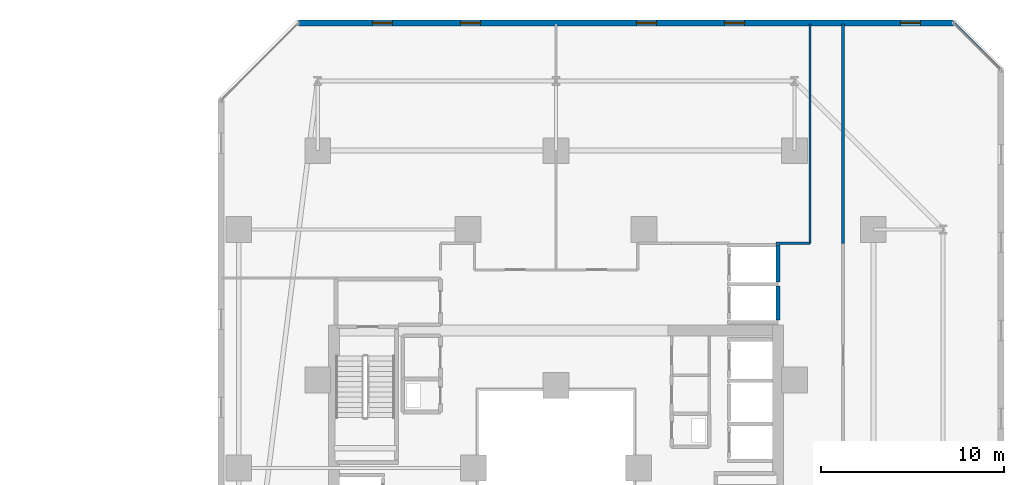
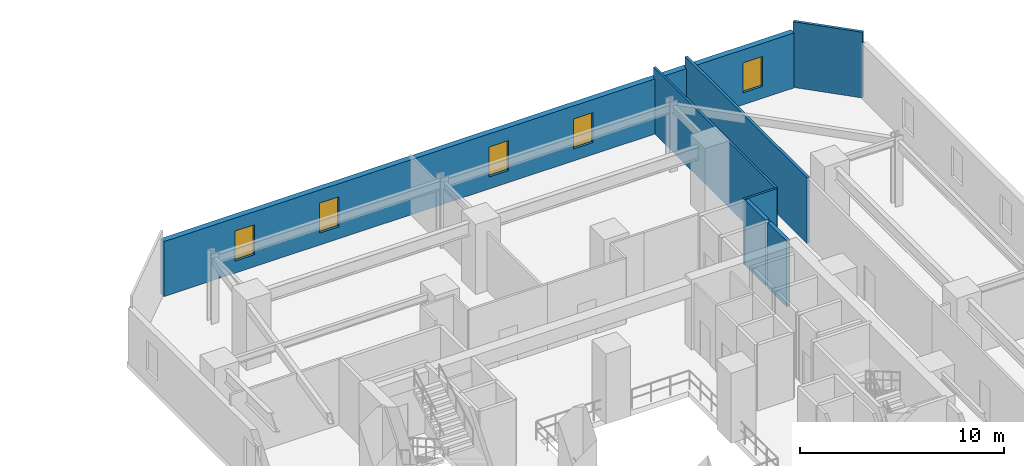
# One storey, part 26 of 33: 7 walls, 5 windows, 5 openings.
"""IFC4 building model written with IfcOpenShell, lengths in metres."""

import ifcopenshell
import ifcopenshell.guid

model = None  # the IFC model being written
_history = None  # IfcOwnerHistory: only IFC2X3 demands one
_inside = {}  # id of a spatial element -> (the spatial element, [elements in it])
_under = {}  # id of a project, library or spatial element -> (it, [spatial elements below it])
_declared = {}  # id of a project -> (the project, [libraries it declares])
_typed = {}  # id of a type object -> (the type object, [elements of that type])
_made_of = {}  # id of a material, layer set ... -> (it, [elements and type objects made of it])


def new_model(schema):
    """Start an empty IFC model of exactly this schema.

    Asked for "IFC4X3", IfcOpenShell would pick the latest addendum, in which some entities
    have other attributes; the version numbers below select the first issue.
    IFC2X3 requires an IfcOwnerHistory on every rooted entity: one is made here for all.
    """
    global model, _history
    if schema == "IFC4X3":
        model = ifcopenshell.file(schema_version=(4, 3, 0, 0))
    else:
        model = ifcopenshell.file(schema=schema)
    _inside.clear()
    _under.clear()
    _declared.clear()
    _typed.clear()
    _made_of.clear()
    _history = None
    if model.schema == "IFC2X3":
        org = make("IfcOrganization", Name="unknown")
        user = make(
            "IfcPersonAndOrganization",
            ThePerson=make("IfcPerson", FamilyName="unknown"),
            TheOrganization=org,
        )
        app = make(
            "IfcApplication",
            ApplicationDeveloper=org,
            Version="unknown",
            ApplicationFullName="unknown",
            ApplicationIdentifier="unknown",
        )
        _history = make(
            "IfcOwnerHistory",
            OwningUser=user,
            OwningApplication=app,
            ChangeAction="ADDED",
            CreationDate=0,
        )
    return model


def make(cls, **values):
    """One entity of the class cls with the attributes given. An attribute that is None is left unset."""
    return model.create_entity(
        cls, **{name: value for name, value in values.items() if value is not None}
    )


def rooted(cls, **values):
    """An entity with a GlobalId (a new one), such as an element, a storey or a relation."""
    return make(cls, GlobalId=ifcopenshell.guid.new(), OwnerHistory=_history, **values)


def si_unit(unit_type, name, prefix=None):
    """IfcSIUnit, for example si_unit("LENGTHUNIT", "METRE", prefix="MILLI")."""
    return make("IfcSIUnit", UnitType=unit_type, Prefix=prefix, Name=name)


def assignment(units):
    """IfcUnitAssignment: the units of a project."""
    return None if units is None else make("IfcUnitAssignment", Units=units)


def point(xyz):
    """IfcCartesianPoint."""
    return None if xyz is None else make("IfcCartesianPoint", Coordinates=xyz)


def direction(xyz):
    """IfcDirection."""
    return None if xyz is None else make("IfcDirection", DirectionRatios=xyz)


def frame(location, z_axis=None, x_axis=None):
    """IfcAxis2Placement3D, a coordinate frame: its origin and axes. An axis left out is left unset."""
    return make(
        "IfcAxis2Placement3D",
        Location=point(location),
        Axis=direction(z_axis),
        RefDirection=direction(x_axis),
    )


def frame_2d(location, x_axis=None):
    """IfcAxis2Placement2D, a coordinate frame in the plane: its origin and x axis."""
    return make(
        "IfcAxis2Placement2D", Location=point(location), RefDirection=direction(x_axis)
    )


def origin():
    """The frame at (0, 0, 0) with its axes left unset."""
    return frame((0.0, 0.0, 0.0))


def place(relative_to, where):
    """IfcLocalPlacement: puts the frame where relative to a parent placement (None: the world)."""
    return make(
        "IfcLocalPlacement", PlacementRelTo=relative_to, RelativePlacement=where
    )


def context(
    kind, dimensions, precision=None, world=None, true_north=None, identifier=None
):
    """IfcGeometricRepresentationContext, for example the 3D "Model" context."""
    return make(
        "IfcGeometricRepresentationContext",
        ContextIdentifier=identifier,
        ContextType=kind,
        CoordinateSpaceDimension=dimensions,
        Precision=precision,
        WorldCoordinateSystem=world,
        TrueNorth=true_north,
    )


def subcontext(parent, identifier, kind, view, scale=None):
    """IfcGeometricRepresentationSubContext, for example "Body" below "Model"."""
    return make(
        "IfcGeometricRepresentationSubContext",
        ContextIdentifier=identifier,
        ContextType=kind,
        ParentContext=parent,
        TargetScale=scale,
        TargetView=view,
    )


def project(units=None, contexts=None):
    """IfcProject with its units and contexts."""
    return rooted(
        "IfcProject",
        Name="project",
        RepresentationContexts=contexts,
        UnitsInContext=assignment(units),
    )


def spatial(cls, under=None, at=None, **own):
    """A site, building, storey or space (cls), placed at a placement, below another one or the project."""
    s = rooted(cls, ObjectPlacement=at, **own)
    if under is not None:
        _under.setdefault(under.id(), (under, []))[1].append(s)
    return s


def profile(cls, at=None, kind="AREA", **sizes):
    """A parametric profile (cls). Its sizes go by their IFC names, for example OverallWidth=200.0."""
    return make(cls, ProfileType=kind, Position=at, **sizes)


def rectangle(**sizes):
    """IfcRectangleProfileDef."""
    return profile("IfcRectangleProfileDef", **sizes)


def extrude(swept, where, along, depth):
    """IfcExtrudedAreaSolid: the profile swept, set in the frame where, extruded along a direction by depth."""
    return make(
        "IfcExtrudedAreaSolid",
        SweptArea=swept,
        Position=where,
        ExtrudedDirection=direction(along),
        Depth=depth,
    )


def shape(context_of_items, identifier, shape_type, items):
    """IfcShapeRepresentation: the items that make up one representation, for example the "Body"."""
    return make(
        "IfcShapeRepresentation",
        ContextOfItems=context_of_items,
        RepresentationIdentifier=identifier,
        RepresentationType=shape_type,
        Items=items,
    )


def material(Name=None, Category=None):
    """IfcMaterial."""
    return make("IfcMaterial", Name=Name, Category=Category)


def layer(
    of_material, thickness, ventilated=None, Name=None, Category=None, Priority=None
):
    """IfcMaterialLayer: one layer of a wall or slab, of a material (None: an air gap)."""
    return make(
        "IfcMaterialLayer",
        Material=of_material,
        LayerThickness=thickness,
        IsVentilated=ventilated,
        Name=Name,
        Category=Category,
        Priority=Priority,
    )


def layer_set(layers, Name=None):
    """IfcMaterialLayerSet."""
    return make("IfcMaterialLayerSet", MaterialLayers=layers, LayerSetName=Name)


def made_of(thing, what):
    """Note that an element or type object is made of a material, layer set ...; save() writes the relation."""
    if what is not None:
        _made_of.setdefault(what.id(), (what, []))[1].append(thing)
    return thing


def type_object(cls, material=None, **own):
    """A type object (cls), such as IfcWallType, which elements share."""
    return made_of(rooted(cls, **own), material)


def element(
    cls,
    number,
    at=None,
    inside=None,
    cuts=None,
    type_object=None,
    material=None,
    context=None,
    identifier="Body",
    shape_type=None,
    held_by="IfcProductDefinitionShape",
    body=None,
    shapes=None,
    **own,
):
    """One element of the class cls, such as IfcWall. Its Tag is "e" and its number.

    at: its placement. inside: the storey or other place that contains it. cuts: it is an
    opening in that element (IfcRelVoidsElement). A single representation is given by context,
    identifier, shape_type and body (its items); several are given by shapes. held_by: the class
    of the entity that holds the representations. save() writes the other relations.
    """
    e = rooted(cls, Tag="e%d" % number, ObjectPlacement=at, **own)
    if body is not None:
        shapes = [shape(context, identifier, shape_type, body)]
    if shapes is not None:
        e.Representation = make(held_by, Representations=shapes)
    if inside is not None:
        _inside.setdefault(inside.id(), (inside, []))[1].append(e)
    if cuts is not None:
        rooted(
            "IfcRelVoidsElement", RelatingBuildingElement=cuts, RelatedOpeningElement=e
        )
    if type_object is not None:
        _typed.setdefault(type_object.id(), (type_object, []))[1].append(e)
    return made_of(e, material)


def fill(opening, filler):
    """IfcRelFillsElement: the door or window that sits in an opening."""
    return rooted(
        "IfcRelFillsElement",
        RelatingOpeningElement=opening,
        RelatedBuildingElement=filler,
    )


def aggregate(whole, parts):
    """IfcRelAggregates: a whole, such as a stair, and the parts it consists of."""
    return rooted("IfcRelAggregates", RelatingObject=whole, RelatedObjects=parts)


def save(model, path):
    """Write the relations noted so far, then the file.

    IfcRelAggregates (storeys below a building ...), IfcRelContainedInSpatialStructure (elements
    in a storey), IfcRelDefinesByType, IfcRelAssociatesMaterial and IfcRelDeclares: one each for
    every whole, place, type object, material and project.
    """
    for whole, parts in _under.values():
        aggregate(whole, parts)
    for where, things in _inside.values():
        rooted(
            "IfcRelContainedInSpatialStructure",
            RelatedElements=things,
            RelatingStructure=where,
        )
    for kind, things in _typed.values():
        rooted("IfcRelDefinesByType", RelatedObjects=things, RelatingType=kind)
    for what, things in _made_of.values():
        rooted("IfcRelAssociatesMaterial", RelatedObjects=things, RelatingMaterial=what)
    for by, libraries in _declared.values():
        rooted("IfcRelDeclares", RelatingContext=by, RelatedDefinitions=libraries)
    model.write(path)


model = new_model("IFC4")

# Units and contexts
model_context = context("Model", 3, precision=1e-05, world=origin(), true_north=direction((0.0, 1.0)))
body_context = subcontext(model_context, "Body", "Model", "MODEL_VIEW")
ifc_project = project(units=[si_unit("LENGTHUNIT", "METRE"), si_unit("AREAUNIT", "SQUARE_METRE"), si_unit("VOLUMEUNIT", "CUBIC_METRE"), si_unit("PLANEANGLEUNIT", "RADIAN"), si_unit("MASSUNIT", "GRAM", prefix="KILO")], contexts=[model_context])

# Site, building, storey
site_placement = place(None, origin())
site = spatial("IfcSite", under=ifc_project, at=site_placement, CompositionType="ELEMENT")
building_placement = place(site_placement, origin())
building = spatial("IfcBuilding", under=site, at=building_placement, Name="Thornwick Lancets Civic Towers", CompositionType="ELEMENT")
storey_placement = place(building_placement, frame((0.0, 0.0, 49.5)))
storey = spatial("IfcBuildingStorey", under=building, at=storey_placement, Name="L12", CompositionType="ELEMENT", Elevation=49.5)

# Walls
ifc_material_1 = material(Name="Concrete blockwork C40/50", Category="masonry")
ifc_layer_1 = layer(ifc_material_1, 0.199951171875, Name="Concrete blockwork C40/50")
ifc_layer_set_1 = layer_set([ifc_layer_1], Name="Concrete blockwork C40/50")
wall_type_1 = type_object("IfcWallType", Name="WALL_COMP_200", PredefinedType="STANDARD", material=ifc_layer_set_1)
wall_1_placement = place(storey_placement, frame((100.60009765625, 35.06201171875, 0.0), z_axis=(0.0, 0.0, 1.0), x_axis=(0.0, 1.0, 0.0)))
element("IfcWall", 1, at=wall_1_placement, inside=storey, type_object=wall_type_1, Name="L12 Hoistway Shaft Wall PL-BL2 E", PredefinedType="STANDARD", context=body_context, shape_type="SweptSolid", body=[
    extrude(rectangle(XDim=1.85595703125, YDim=0.199951171875, at=frame_2d((0.927978515625, 0.0))), origin(), (0.0, 0.0, 1.0), 3.93994140625),
])
wall_2_placement = place(storey_placement, frame((100.60009765625, 37.132080078125, 0.0), z_axis=(0.0, 0.0, 1.0), x_axis=(0.0, 1.0, 0.0)))
element("IfcWall", 2, at=wall_2_placement, inside=storey, type_object=wall_type_1, Name="L12 Hoistway Shaft Wall PL-BL2 E", PredefinedType="STANDARD", context=body_context, shape_type="SweptSolid", body=[
    extrude(rectangle(XDim=2.015869140625, YDim=0.199951171875, at=frame_2d((1.0078125, 0.0))), origin(), (0.0, 0.0, 1.0), 3.93994140625),
])

# Wall, openings, windows
ifc_material_2 = material(Name="Insulated buff terracotta rainscreen on concrete C40/50", Category="masonry")
ifc_layer_2 = layer(ifc_material_2, 0.320068359375, Name="Insulated buff terracotta rainscreen on concrete C40/50")
ifc_layer_set_2 = layer_set([ifc_layer_2], Name="Insulated buff terracotta rainscreen on concrete C40/50")
wall_type_2 = type_object("IfcWallType", Name="WALL_EXT_TERRA_320", PredefinedType="STANDARD", material=ifc_layer_set_2)
wall_3_placement = place(storey_placement, frame((110.18115234375, 51.264892578125, 0.0), z_axis=(0.0, 0.0, 1.0), x_axis=(-0.999999988703, -0.000150313265, 0.0)))
wall_3 = element("IfcWall", 3, at=wall_3_placement, inside=storey, type_object=wall_type_2, Name="L12 Tower B Terracotta Facade Wall E4", PredefinedType="STANDARD", context=body_context, shape_type="SweptSolid", body=[
    extrude(rectangle(XDim=35.732666015625, YDim=0.320068359375, at=frame_2d((17.8662109375, 0.0))), origin(), (0.0, 0.0, 1.0), 3.300048828125),
])
opening_1_placement = place(wall_3_placement, frame((1.800048828125, 0.0, 0.719970703125)))
opening_1 = element("IfcOpeningElement", 4, at=opening_1_placement, cuts=wall_3, Name="Opening WL-02", PredefinedType="OPENING", context=body_context, shape_type="SweptSolid", body=[
    extrude(rectangle(XDim=1.10009765625, YDim=1.800048828125, at=frame_2d((0.550048828125, 0.89990234375))), frame((0.0, 0.169921875, 0.0), z_axis=(0.0, -1.0, 0.0), x_axis=(1.0, 0.0, 0.0)), (0.0, 0.0, 1.0), 0.340087890625),
])
opening_2_placement = place(wall_3_placement, frame((11.39990234375, 0.0, 0.719970703125)))
opening_2 = element("IfcOpeningElement", 5, at=opening_2_placement, cuts=wall_3, Name="Opening WL-02", PredefinedType="OPENING", context=body_context, shape_type="SweptSolid", body=[
    extrude(rectangle(XDim=1.10009765625, YDim=1.800048828125, at=frame_2d((0.550048828125, 0.89990234375))), frame((0.0, 0.169921875, 0.0), z_axis=(0.0, -1.0, 0.0), x_axis=(1.0, 0.0, 0.0)), (0.0, 0.0, 1.0), 0.340087890625),
])
opening_3_placement = place(wall_3_placement, frame((16.199951171875, 0.0, 0.719970703125)))
opening_3 = element("IfcOpeningElement", 6, at=opening_3_placement, cuts=wall_3, Name="Opening WL-02", PredefinedType="OPENING", context=body_context, shape_type="SweptSolid", body=[
    extrude(rectangle(XDim=1.10009765625, YDim=1.800048828125, at=frame_2d((0.550048828125, 0.89990234375))), frame((0.0, 0.169921875, 0.0), z_axis=(0.0, -1.0, 0.0), x_axis=(1.0, 0.0, 0.0)), (0.0, 0.0, 1.0), 0.340087890625),
])
opening_4_placement = place(wall_3_placement, frame((25.800048828125, 0.0, 0.719970703125)))
opening_4 = element("IfcOpeningElement", 7, at=opening_4_placement, cuts=wall_3, Name="Opening WL-02", PredefinedType="OPENING", context=body_context, shape_type="SweptSolid", body=[
    extrude(rectangle(XDim=1.10009765625, YDim=1.800048828125, at=frame_2d((0.550048828125, 0.89990234375))), frame((0.0, 0.169921875, 0.0), z_axis=(0.0, -1.0, 0.0), x_axis=(1.0, 0.0, 0.0)), (0.0, 0.0, 1.0), 0.340087890625),
])
opening_5_placement = place(wall_3_placement, frame((30.60009765625, 0.0, 0.719970703125)))
opening_5 = element("IfcOpeningElement", 8, at=opening_5_placement, cuts=wall_3, Name="Opening WL-02", PredefinedType="OPENING", context=body_context, shape_type="SweptSolid", body=[
    extrude(rectangle(XDim=1.10009765625, YDim=1.800048828125, at=frame_2d((0.550048828125, 0.89990234375))), frame((0.0, 0.169921875, 0.0), z_axis=(0.0, -1.0, 0.0), x_axis=(1.0, 0.0, 0.0)), (0.0, 0.0, 1.0), 0.340087890625),
])
ifc_material_3 = material(Name="Clear low-e double glazing in bronze frame", Category="glass")
window_type = type_object("IfcWindowType", Name="WIN_LANCET_1100", PartitioningType="SINGLE_PANEL", PredefinedType="WINDOW", material=ifc_material_3)
window_1_placement = place(opening_1_placement, origin())
window_1 = element("IfcWindow", 9, at=window_1_placement, inside=storey, type_object=window_type, Name="L12 Tower B Staggered Lancet Window E4-1", OverallHeight=1.800048828125, OverallWidth=1.10009765625, PartitioningType="SINGLE_PANEL", PredefinedType="WINDOW", context=body_context, shape_type="SweptSolid", body=[
    extrude(rectangle(XDim=1.10009765625, YDim=1.800048828125, at=frame_2d((0.550048828125, 0.89990234375))), frame((0.0, 0.030029296875, 0.0), z_axis=(0.0, -1.0, 0.0), x_axis=(1.0, 0.0, 0.0)), (0.0, 0.0, 1.0), 0.06005859375),
])
fill(opening_1, window_1)
window_2_placement = place(opening_2_placement, origin())
window_2 = element("IfcWindow", 10, at=window_2_placement, inside=storey, type_object=window_type, Name="L12 Tower B Staggered Lancet Window E4-2", OverallHeight=1.800048828125, OverallWidth=1.10009765625, PartitioningType="SINGLE_PANEL", PredefinedType="WINDOW", context=body_context, shape_type="SweptSolid", body=[
    extrude(rectangle(XDim=1.10009765625, YDim=1.800048828125, at=frame_2d((0.550048828125, 0.89990234375))), frame((0.0, 0.030029296875, 0.0), z_axis=(0.0, -1.0, 0.0), x_axis=(1.0, 0.0, 0.0)), (0.0, 0.0, 1.0), 0.06005859375),
])
fill(opening_2, window_2)
window_3_placement = place(opening_3_placement, origin())
window_3 = element("IfcWindow", 11, at=window_3_placement, inside=storey, type_object=window_type, Name="L12 Tower B Staggered Lancet Window E4-3", OverallHeight=1.800048828125, OverallWidth=1.10009765625, PartitioningType="SINGLE_PANEL", PredefinedType="WINDOW", context=body_context, shape_type="SweptSolid", body=[
    extrude(rectangle(XDim=1.10009765625, YDim=1.800048828125, at=frame_2d((0.550048828125, 0.89990234375))), frame((0.0, 0.030029296875, 0.0), z_axis=(0.0, -1.0, 0.0), x_axis=(1.0, 0.0, 0.0)), (0.0, 0.0, 1.0), 0.06005859375),
])
fill(opening_3, window_3)
window_4_placement = place(opening_4_placement, origin())
window_4 = element("IfcWindow", 12, at=window_4_placement, inside=storey, type_object=window_type, Name="L12 Tower B Staggered Lancet Window E4-4", OverallHeight=1.800048828125, OverallWidth=1.10009765625, PartitioningType="SINGLE_PANEL", PredefinedType="WINDOW", context=body_context, shape_type="SweptSolid", body=[
    extrude(rectangle(XDim=1.10009765625, YDim=1.800048828125, at=frame_2d((0.550048828125, 0.89990234375))), frame((0.0, 0.030029296875, 0.0), z_axis=(0.0, -1.0, 0.0), x_axis=(1.0, 0.0, 0.0)), (0.0, 0.0, 1.0), 0.06005859375),
])
fill(opening_4, window_4)
window_5_placement = place(opening_5_placement, origin())
window_5 = element("IfcWindow", 13, at=window_5_placement, inside=storey, type_object=window_type, Name="L12 Tower B Staggered Lancet Window E4-5", OverallHeight=1.800048828125, OverallWidth=1.10009765625, PartitioningType="SINGLE_PANEL", PredefinedType="WINDOW", context=body_context, shape_type="SweptSolid", body=[
    extrude(rectangle(XDim=1.10009765625, YDim=1.800048828125, at=frame_2d((0.550048828125, 0.89990234375))), frame((0.0, 0.030029296875, 0.0), z_axis=(0.0, -1.0, 0.0), x_axis=(1.0, 0.0, 0.0)), (0.0, 0.0, 1.0), 0.06005859375),
])
fill(opening_5, window_5)

# Walls
ifc_material_4 = material(Name="Acoustic gypsum board partition")
ifc_layer_3 = layer(ifc_material_4, 0.1201171875, Name="Acoustic gypsum board partition")
ifc_layer_set_3 = layer_set([ifc_layer_3], Name="Acoustic gypsum board partition")
wall_type_3 = type_object("IfcWallType", Name="WALL_PART_120", PredefinedType="PARTITIONING", material=ifc_layer_set_3)
wall_4_placement = place(storey_placement, frame((102.35009765625, 51.219970703125, 0.0), z_axis=(0.0, 0.0, 1.0), x_axis=(0.0, -1.0, 0.0)))
element("IfcWall", 14, at=wall_4_placement, inside=storey, type_object=wall_type_3, Name="L12 Partition L12-B-E1 E7", PredefinedType="PARTITIONING", context=body_context, shape_type="SweptSolid", body=[
    extrude(rectangle(XDim=11.969970703125, YDim=0.1201171875, at=frame_2d((5.98486328125, 0.0))), origin(), (0.0, 0.0, 1.0), 3.93994140625),
])
wall_5_placement = place(storey_placement, frame((102.35009765625, 39.25, 0.0), z_axis=(0.0, 0.0, 1.0), x_axis=(-1.0, 0.0, 0.0)))
element("IfcWall", 15, at=wall_5_placement, inside=storey, type_object=wall_type_3, Name="L12 Partition L12-B-E1 E8", PredefinedType="PARTITIONING", context=body_context, shape_type="SweptSolid", body=[
    extrude(rectangle(XDim=1.862060546875, YDim=0.1201171875, at=frame_2d((0.93115234375, 0.0))), origin(), (0.0, 0.0, 1.0), 3.93994140625),
])
ifc_material_5 = material(Name="Twin-stud acoustic gypsum board")
ifc_layer_4 = layer(ifc_material_5, 0.14990234375, Name="Twin-stud acoustic gypsum board")
ifc_layer_set_4 = layer_set([ifc_layer_4], Name="Twin-stud acoustic gypsum board")
wall_type_4 = type_object("IfcWallType", Name="WALL_PART_150", PredefinedType="PARTITIONING", material=ifc_layer_set_4)
wall_6_placement = place(storey_placement, frame((104.14990234375, 39.25, 0.0), z_axis=(0.0, 0.0, 1.0), x_axis=(0.0, 1.0, 0.0)))
element("IfcWall", 16, at=wall_6_placement, inside=storey, type_object=wall_type_4, Name="L12 Partition L12-B-S-ARCH E2", PredefinedType="PARTITIONING", context=body_context, shape_type="SweptSolid", body=[
    extrude(rectangle(XDim=11.969970703125, YDim=0.14990234375, at=frame_2d((5.98486328125, 0.0))), origin(), (0.0, 0.0, 1.0), 3.93994140625),
])
wall_7_placement = place(storey_placement, frame((110.225341796875, 51.219970703125, 0.0), z_axis=(0.0, 0.0, 1.0), x_axis=(0.707106781187, -0.707106781187, 0.0)))
element("IfcWall", 17, at=wall_7_placement, inside=storey, type_object=wall_type_4, Name="L12 Partition L12-B-S-ARCH E4", PredefinedType="PARTITIONING", context=body_context, shape_type="SweptSolid", body=[
    extrude(rectangle(XDim=3.52783203125, YDim=0.14990234375, at=frame_2d((1.763916015625, 0.0))), origin(), (0.0, 0.0, 1.0), 3.93994140625),
])

save(model, "model.ifc")
